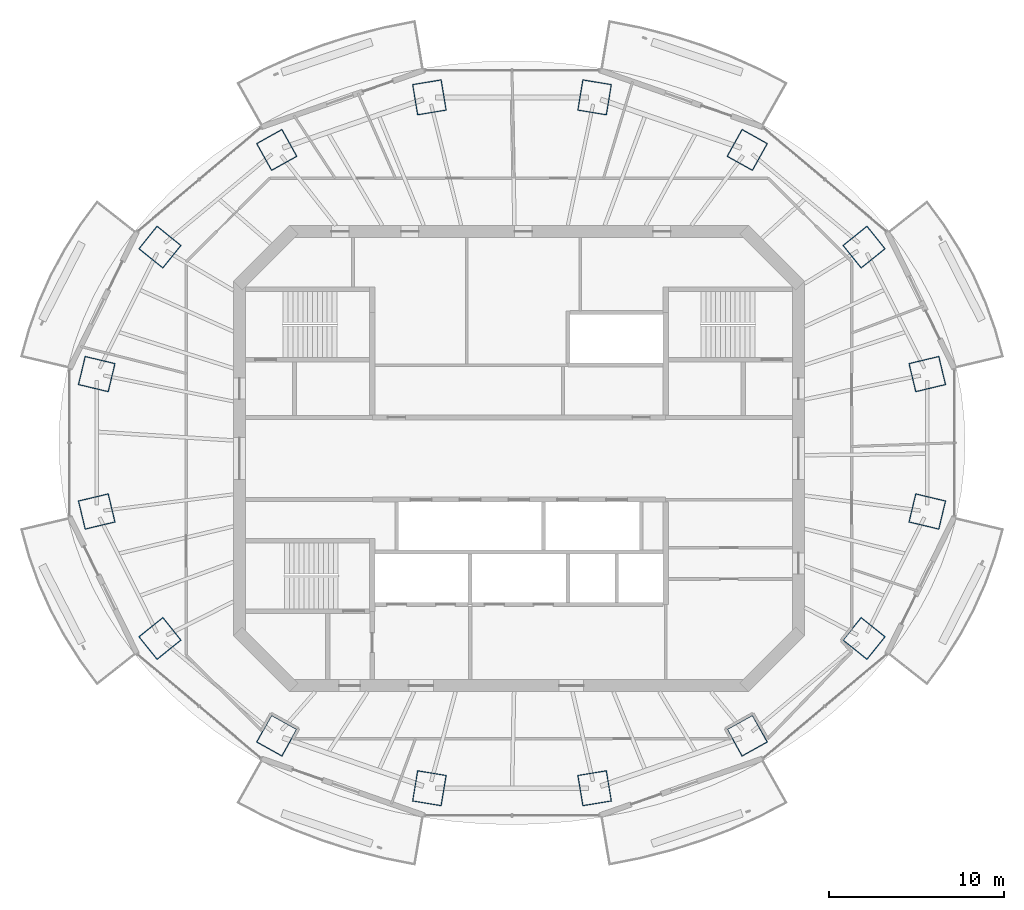
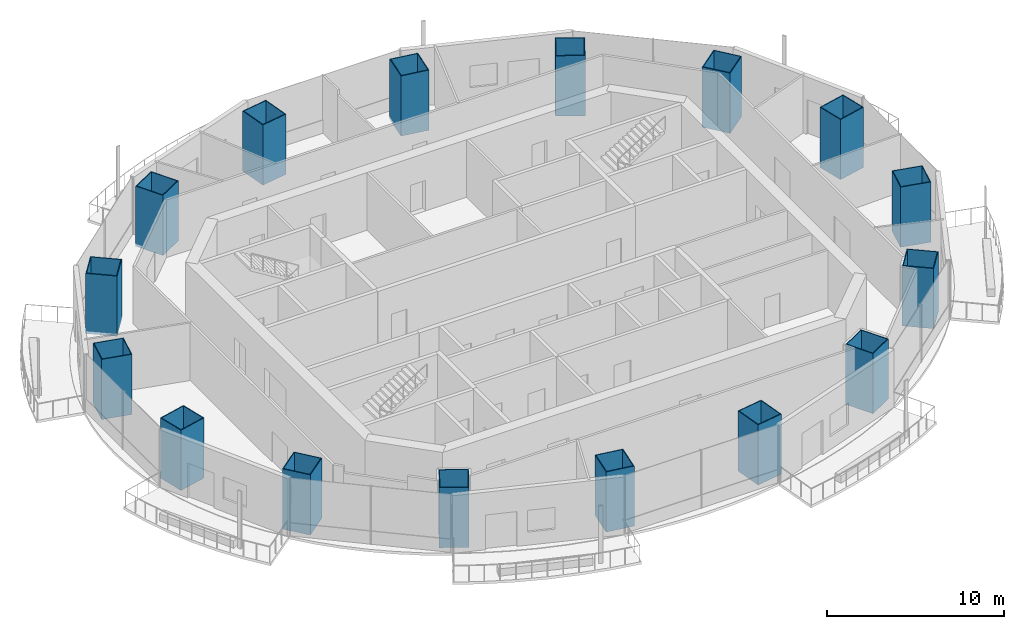
# One storey, part 1 of 16: 16 columns.
"""IFC4 building model written with IfcOpenShell, lengths in metres."""

from ifc_helpers import new_model, si_unit, direction, frame, origin, origin_2d, place, context, subcontext, project, spatial, rectangle, hollow_rectangle, extrude, material, material_profile, profile_set, type_object, element, save


model = new_model("IFC4")

# Units and contexts
model_context = context("Model", 3, precision=1e-05, world=origin(), true_north=direction((0.0, 1.0)))
body_context = subcontext(model_context, "Body", "Model", "MODEL_VIEW")
ifc_project = project(units=[si_unit("LENGTHUNIT", "METRE"), si_unit("AREAUNIT", "SQUARE_METRE"), si_unit("VOLUMEUNIT", "CUBIC_METRE"), si_unit("PLANEANGLEUNIT", "RADIAN"), si_unit("MASSUNIT", "GRAM", prefix="KILO")], contexts=[model_context])

# Site, building, storey
site_placement = place(None, origin())
site = spatial("IfcSite", under=ifc_project, at=site_placement, CompositionType="ELEMENT")
building_placement = place(site_placement, origin())
building = spatial("IfcBuilding", under=site, at=building_placement, Name="Marenthal Gate Tower", CompositionType="ELEMENT")
storey_placement = place(building_placement, frame((0.0, 0.0, 375.800048828125)))
storey = spatial("IfcBuildingStorey", under=building, at=storey_placement, Name="L85", CompositionType="ELEMENT", Elevation=375.800048828125)

# Columns
ifc_material_1 = material(Name="Steel S460", Category="steel")
ifc_material_profile_1 = material_profile(ifc_material_1, hollow_rectangle(XDim=1.699951171875, YDim=1.800048828125, WallThickness=0.050048828125, at=origin_2d()), Name="CFT BOX 1800X1700X50")
ifc_material_2 = material(Name="Concrete 70 MPa", Category="concrete")
ifc_material_profile_2 = material_profile(ifc_material_2, rectangle(XDim=1.60009765625, YDim=1.699951171875, at=origin_2d()), Name="CFT BOX 1800X1700X50 INFILL")
ifc_profile_set = profile_set([ifc_material_profile_1, ifc_material_profile_2], Name="Steel S460 shell, Concrete 70 MPa infill")
column_type = type_object("IfcColumnType", Name="CFT BOX 1800X1700X50", PredefinedType="COLUMN", material=ifc_profile_set)
for number, where, z_axis, x_axis, name in (
    (1, (23.376220703125, 4.833984375, -0.179931640625), (0.0, 0.0, 1.0), (0.232571260253, -0.972579358667, 0.0), "COL-L85-01"),
    (2, (19.756591796875, 12.10302734375, -0.179931640625), (0.0, 0.0, 1.0), (0.626248733812, -0.779623321482, 0.0), "COL-L85-02"),
    (3, (13.068115234375, 17.66650390625, -0.179931640625), (0.0, 0.0, 1.0), (0.874064905917, -0.485809160314, 0.0), "COL-L85-03"),
    (4, (4.329345703125, 20.677490234375, -0.179931640625), (0.0, 0.0, 1.0), (0.986586410729, -0.163239866957, 0.0), "COL-L85-04"),
    (5, (-5.12939453125, 20.677490234375, -0.179931640625), (0.0, 0.0, 1.0), (0.986586410729, 0.163239866957, 0.0), "COL-L85-05"),
    (6, (-13.8681640625, 17.66650390625, -0.179931640625), (0.0, 0.0, 1.0), (0.874064905917, 0.485809160314, 0.0), "COL-L85-06"),
    (7, (-20.556396484375, 12.10302734375, -0.179931640625), (0.0, 0.0, 1.0), (0.626248733812, 0.779623321482, 0.0), "COL-L85-07"),
    (8, (-24.17626953125, 4.833984375, -0.179931640625), (0.0, 0.0, 1.0), (0.232571260253, 0.972579358667, 0.0), "COL-L85-08"),
    (9, (-24.17626953125, -3.033935546875, -0.179931640625), (0.0, 0.0, 1.0), (-0.232571260253, 0.972579358667, 0.0), "COL-L85-09"),
    (10, (-20.556396484375, -10.302978515625, -0.179931640625), (0.0, 0.0, 1.0), (-0.626248733812, 0.779623321482, 0.0), "COL-L85-10"),
    (11, (-13.8681640625, -15.86669921875, -0.179931640625), (0.0, 0.0, 1.0), (-0.874064905917, 0.485809160314, 0.0), "COL-L85-11"),
    (12, (-5.12939453125, -18.87744140625, -0.179931640625), (0.0, 0.0, 1.0), (-0.986586410729, 0.163239866957, 0.0), "COL-L85-12"),
    (13, (4.329345703125, -18.87744140625, -0.179931640625), (0.0, 0.0, 1.0), (-0.986586410729, -0.163239866957, 0.0), "COL-L85-13"),
    (14, (13.068115234375, -15.86669921875, -0.179931640625), (0.0, 0.0, 1.0), (-0.874064905917, -0.485809160314, 0.0), "COL-L85-14"),
    (15, (19.756591796875, -10.302978515625, -0.179931640625), (0.0, 0.0, 1.0), (-0.626248733812, -0.779623321482, 0.0), "COL-L85-15"),
    (16, (23.376220703125, -3.033935546875, -0.179931640625), (0.0, 0.0, 1.0), (-0.232571260253, -0.972579358667, 0.0), "COL-L85-16"),
):
    element("IfcColumn", number, at=place(storey_placement, frame(where, z_axis=z_axis, x_axis=x_axis)), inside=storey, type_object=column_type, Name=name, PredefinedType="COLUMN", context=body_context, shape_type="SweptSolid", body=[
        extrude(hollow_rectangle(XDim=1.699951171875, YDim=1.800048828125, WallThickness=0.050048828125, at=origin_2d()), origin(), (0.0, 0.0, 1.0), 4.14990234375),
    ])

save(model, "model.ifc")
